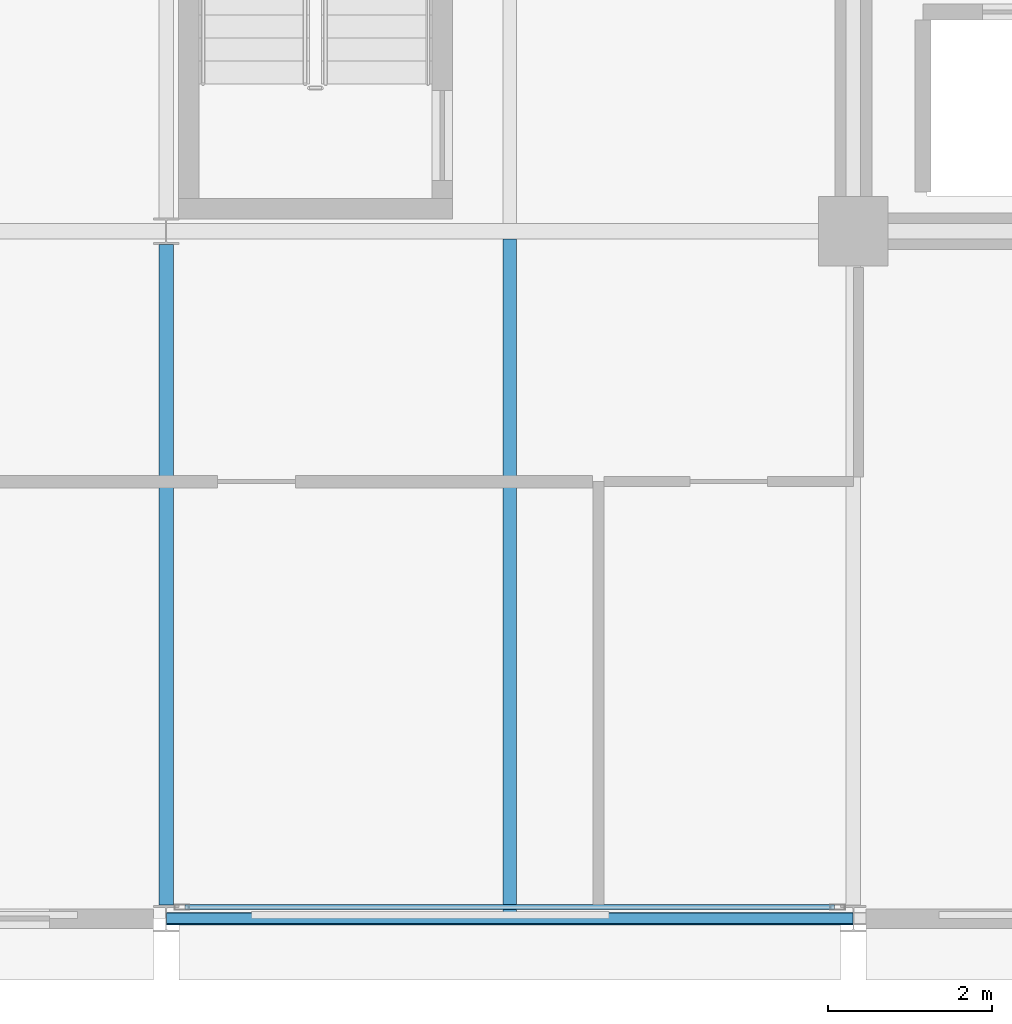
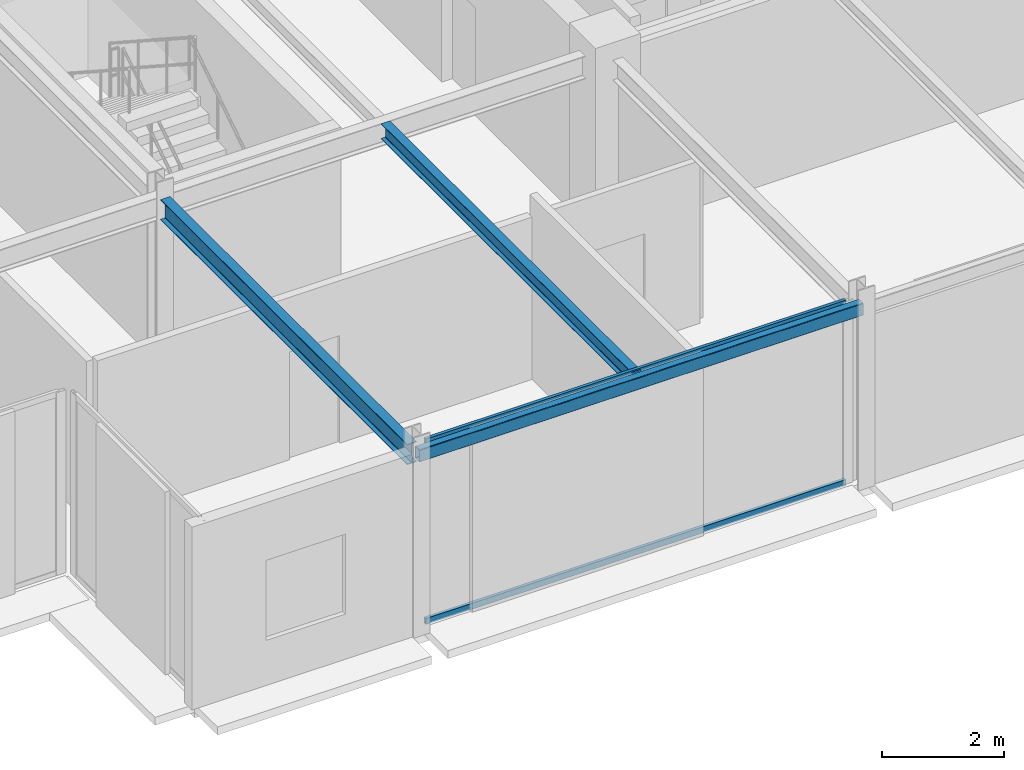
# One storey, part 4 of 25: 3 beams, 2 members, 1 element without a shape of its own.
"""IFC4 building model written with IfcOpenShell, lengths in metres."""

from ifc_helpers import new_model, si_unit, direction, frame, origin, origin_2d, place, context, subcontext, project, spatial, hollow_rectangle, i_section, extrude, material, layer, layer_set, material_profile, profile_set, type_object, element, aggregate, save


model = new_model("IFC4")

# Units and contexts
model_context = context("Model", 3, precision=1e-05, world=origin(), true_north=direction((0.0, 1.0)))
body_context = subcontext(model_context, "Body", "Model", "MODEL_VIEW")
ifc_project = project(units=[si_unit("LENGTHUNIT", "METRE"), si_unit("AREAUNIT", "SQUARE_METRE"), si_unit("VOLUMEUNIT", "CUBIC_METRE"), si_unit("PLANEANGLEUNIT", "RADIAN"), si_unit("MASSUNIT", "GRAM", prefix="KILO")], contexts=[model_context])

# Site, building, storey
site_placement = place(None, origin())
site = spatial("IfcSite", under=ifc_project, at=site_placement, CompositionType="ELEMENT")
building_placement = place(site_placement, origin())
building = spatial("IfcBuilding", under=site, at=building_placement, Name="Nerrivon Quay Data Exchange", CompositionType="ELEMENT")
storey_placement = place(building_placement, frame((0.0, 0.0, 318.199951171875)))
storey = spatial("IfcBuildingStorey", under=building, at=storey_placement, Name="L76", CompositionType="ELEMENT", Elevation=318.199951171875)

# Beams
ifc_material_1 = material(Name="Steel Grade 350", Category="steel")
ifc_material_profile_1 = material_profile(ifc_material_1, i_section(OverallWidth=0.177978515625, OverallDepth=0.406005859375, WebThickness=0.0078125, FlangeThickness=0.0126953125, FilletRadius=0.011474609375, at=origin_2d()), Name="410UB59.7")
ifc_profile_set_1 = profile_set([ifc_material_profile_1], Name="Steel Grade 350")
beam_type_1 = type_object("IfcBeamType", Name="BM-J1-410UB60", PredefinedType="JOIST", material=ifc_profile_set_1)
beam_1_placement = place(storey_placement, frame((8.39990234375, 0.16357421875, 3.447021484375), z_axis=(0.0, 1.0, 0.0), x_axis=(-1.0, 0.0, 0.0)))
element("IfcBeam", 1, at=beam_1_placement, inside=storey, type_object=beam_type_1, Name="L76 NS Girder X=8.4 (0.0..8.4)", PredefinedType="JOIST", context=body_context, shape_type="SweptSolid", body=[
    extrude(i_section(OverallWidth=0.177978515625, OverallDepth=0.406005859375, WebThickness=0.0078125, FlangeThickness=0.0126953125, FilletRadius=0.011474609375, at=origin_2d()), origin(), (0.0, 0.0, 1.0), 8.072998046875),
])
ifc_material_profile_2 = material_profile(ifc_material_1, i_section(OverallWidth=0.1650390625, OverallDepth=0.303955078125, WebThickness=0.006103515625, FlangeThickness=0.01025390625, FilletRadius=0.011474609375, at=origin_2d()), Name="310UB40.4")
ifc_profile_set_2 = profile_set([ifc_material_profile_2], Name="Steel Grade 350")
beam_type_2 = type_object("IfcBeamType", Name="BM-J6-310UB40", PredefinedType="JOIST", material=ifc_profile_set_2)
beam_2_placement = place(storey_placement, frame((12.60009765625, 0.074951171875, 3.498046875), z_axis=(0.0, 1.0, 0.0), x_axis=(-1.0, 0.0, 0.0)))
element("IfcBeam", 2, at=beam_2_placement, inside=storey, type_object=beam_type_2, Name="L76 Secondary Joist X=12.6 (0.0..8.4)", PredefinedType="JOIST", context=body_context, shape_type="SweptSolid", body=[
    extrude(i_section(OverallWidth=0.1650390625, OverallDepth=0.303955078125, WebThickness=0.006103515625, FlangeThickness=0.01025390625, FilletRadius=0.011474609375, at=origin_2d()), origin(), (0.0, 0.0, 1.0), 8.22998046875),
])
ifc_material_2 = material(Name="Steel Grade C350L0 (350 MPa)", Category="steel")
ifc_material_profile_3 = material_profile(ifc_material_2, hollow_rectangle(XDim=0.14990234375, YDim=0.25, WallThickness=0.009033203125, InnerFilletRadius=0.013427734375, OuterFilletRadius=0.0224609375, at=origin_2d()), Name="250x150x9.0RHS")
ifc_profile_set_3 = profile_set([ifc_material_profile_3], Name="Steel Grade C350L0 (350 MPa)")
beam_type_3 = type_object("IfcBeamType", Name="BM-SP4-250x150RHS", PredefinedType="SPANDREL", material=ifc_profile_set_3)
beam_3_placement = place(storey_placement, frame((8.40771484375, 0.0, 3.525146484375), z_axis=(1.0, 0.0, 0.0), x_axis=(0.0, 1.0, 0.0)))
element("IfcBeam", 3, at=beam_3_placement, inside=storey, type_object=beam_type_3, Name="L76 EW Girder Y=0.0 (8.4..16.8)", PredefinedType="SPANDREL", context=body_context, shape_type="SweptSolid", body=[
    extrude(hollow_rectangle(XDim=0.14990234375, YDim=0.25, WallThickness=0.009033203125, InnerFilletRadius=0.013427734375, OuterFilletRadius=0.0224609375, at=origin_2d()), origin(), (0.0, 0.0, 1.0), 8.38427734375),
])

# Curtain wall, members
ifc_material_3 = material(Name="Anodised aluminium 6063-T6", Category="aluminium")
ifc_layer = layer(ifc_material_3, 0.195068359375)
ifc_layer_set = layer_set([ifc_layer], Name="Anodised aluminium 6063-T6")
curtain_wall_type = type_object("IfcCurtainWallType", Name="CW-SYS-06", PredefinedType="NOTDEFINED", material=ifc_layer_set)
curtain_wall_placement = place(storey_placement, origin())
curtain_wall = element("IfcCurtainWall", 4, at=curtain_wall_placement, inside=storey, type_object=curtain_wall_type, Name="L76 Unitised Curtain Wall 4", PredefinedType="NOTDEFINED")
ifc_material_profile_4 = material_profile(ifc_material_3, hollow_rectangle(XDim=0.06005859375, YDim=0.1201171875, WallThickness=0.003173828125, at=origin_2d()), Name="ALU-TRAN-120x60")
ifc_profile_set_4 = profile_set([ifc_material_profile_4], Name="Anodised aluminium 6063-T6")
member_type = type_object("IfcMemberType", Name="CWT-120x60", PredefinedType="USERDEFINED", material=ifc_profile_set_4)
member_1_placement = place(storey_placement, frame((16.569580078125, 0.139892578125, 0.032470703125), z_axis=(-1.0, 0.0, 0.0), x_axis=(0.0, -1.0, 0.0)))
member_1 = element("IfcMember", 5, at=member_1_placement, type_object=member_type, Name="CW06 transom 1.1", ObjectType="TRANSOM", PredefinedType="USERDEFINED", context=body_context, shape_type="SweptSolid", body=[
    extrude(hollow_rectangle(XDim=0.06005859375, YDim=0.1201171875, WallThickness=0.003173828125, at=origin_2d()), origin(), (0.0, 0.0, 1.0), 7.93896484375),
])
member_2_placement = place(storey_placement, frame((16.569580078125, 0.139892578125, 3.617431640625), z_axis=(-1.0, 0.0, 0.0), x_axis=(0.0, -1.0, 0.0)))
member_2 = element("IfcMember", 6, at=member_2_placement, type_object=member_type, Name="CW06 transom 1.2", ObjectType="TRANSOM", PredefinedType="USERDEFINED", context=body_context, shape_type="SweptSolid", body=[
    extrude(hollow_rectangle(XDim=0.06005859375, YDim=0.1201171875, WallThickness=0.003173828125, at=origin_2d()), origin(), (0.0, 0.0, 1.0), 7.93896484375),
])
aggregate(curtain_wall, [member_1, member_2])

save(model, "model.ifc")
